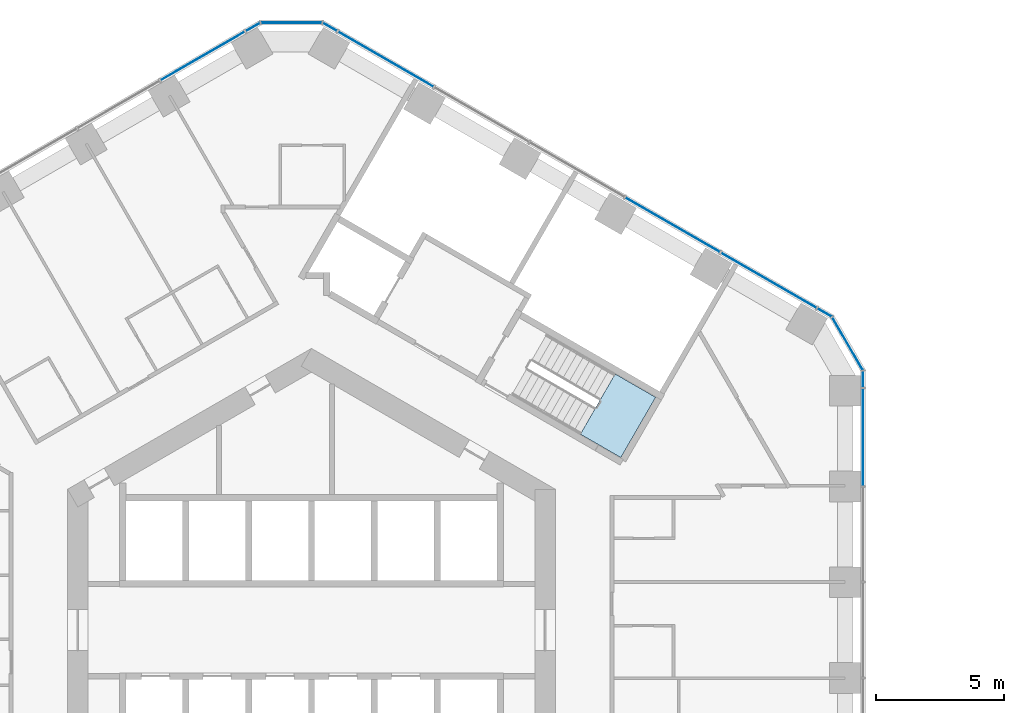
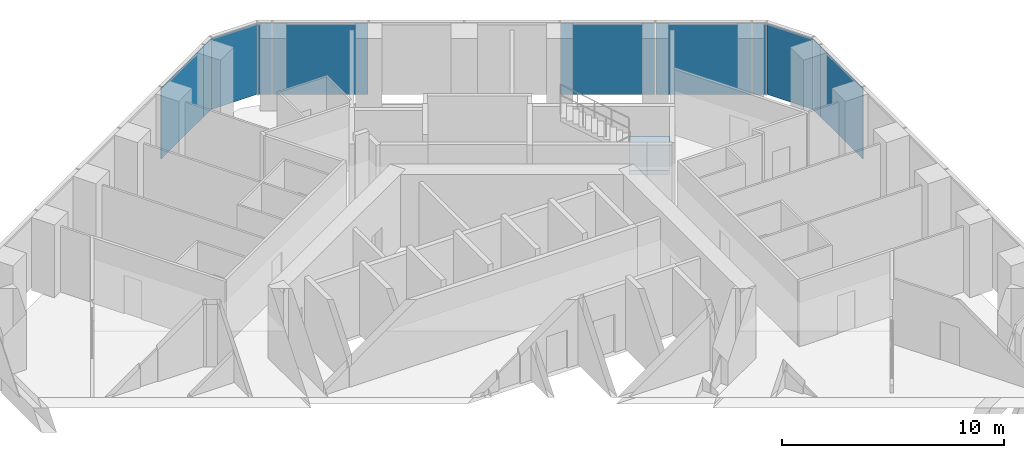
# One storey, part 17 of 27: 11 plates, 1 slab, 6 elements without a shape of their own.
"""IFC4 building model written with IfcOpenShell, lengths in metres."""

from ifc_helpers import new_model, si_unit, direction, frame, origin, origin_2d, place, context, subcontext, project, spatial, polyline, rectangle, outline, extrude, material, layer, layer_set, type_object, element, aggregate, save


model = new_model("IFC4")

# Units and contexts
model_context = context("Model", 3, precision=1e-05, world=origin(), true_north=direction((0.0, 1.0)))
body_context = subcontext(model_context, "Body", "Model", "MODEL_VIEW")
ifc_project = project(units=[si_unit("LENGTHUNIT", "METRE"), si_unit("AREAUNIT", "SQUARE_METRE"), si_unit("VOLUMEUNIT", "CUBIC_METRE"), si_unit("PLANEANGLEUNIT", "RADIAN"), si_unit("MASSUNIT", "GRAM", prefix="KILO")], contexts=[model_context])

# Site, building, storey
site_placement = place(None, origin())
site = spatial("IfcSite", under=ifc_project, at=site_placement, CompositionType="ELEMENT")
building_placement = place(site_placement, origin())
building = spatial("IfcBuilding", under=site, at=building_placement, Name="Ayvan Gate Tower", CompositionType="ELEMENT")
storey_placement = place(building_placement, frame((0.0, 0.0, 70.300048828125)))
storey = spatial("IfcBuildingStorey", under=building, at=storey_placement, Name="L18", CompositionType="ELEMENT", Elevation=70.300048828125)

# Stair, slab
ifc_material_1 = material(Name="Concrete C40/50", Category="concrete")
stair_type = type_object("IfcStairType", Name="ST-EXIT", PredefinedType="HALF_TURN_STAIR", material=ifc_material_1)
stair_placement = place(storey_placement, origin())
stair = element("IfcStair", 1, at=stair_placement, inside=storey, type_object=stair_type, Name="L18 Exit Stair S1", PredefinedType="HALF_TURN_STAIR")
ifc_layer_1 = layer(ifc_material_1, 0.199951171875)
ifc_layer_set_1 = layer_set([ifc_layer_1], Name="Concrete C40/50")
slab_type = type_object("IfcSlabType", Name="SL-LANDING-200", PredefinedType="LANDING", material=ifc_layer_set_1)
slab_placement = place(storey_placement, frame((0.0, 0.0, 1.800048828125)))
slab = element("IfcSlab", 2, at=slab_placement, type_object=slab_type, Name="STS1 landing 1", PredefinedType="LANDING", context=body_context, shape_type="SweptSolid", body=[
    extrude(outline(polyline([(10.473388671875, 7.630615234375), (12.049560546875, 6.720458984375), (13.404541015625, 9.0673828125), (11.828369140625, 9.9775390625), (10.473388671875, 7.630615234375)])), origin(), (0.0, 0.0, 1.0), 0.199951171875),
])
aggregate(stair, [slab])

# Curtain wall, plate
ifc_material_2 = material(Name="Bronze anodised aluminium", Category="aluminium")
ifc_layer_2 = layer(ifc_material_2, 0.199951171875)
ifc_layer_set_2 = layer_set([ifc_layer_2], Name="Bronze anodised aluminium")
curtain_wall_type_1 = type_object("IfcCurtainWallType", Name="Stick curtain wall CW-1", PredefinedType="NOTDEFINED", material=ifc_layer_set_2)
curtain_wall_1_placement = place(storey_placement, origin())
curtain_wall_1 = element("IfcCurtainWall", 3, at=curtain_wall_1_placement, inside=storey, type_object=curtain_wall_type_1, Name="Stick curtain wall CW-1 L18", PredefinedType="NOTDEFINED")
ifc_material_3 = material(Name="Clear low-iron laminated glass", Category="glass")
ifc_layer_3 = layer(ifc_material_3, 0.028076171875)
ifc_layer_set_3 = layer_set([ifc_layer_3], Name="Clear low-iron laminated glass")
plate_type_1 = type_object("IfcPlateType", Name="Stick curtain wall CW-1 glass panel", PredefinedType="CURTAIN_PANEL", material=ifc_layer_set_3)
plate_1_placement = place(storey_placement, frame((21.484619140625, 7.52587890625, 0.0), z_axis=(0.0, 0.0, 1.0), x_axis=(0.0, 1.0, 0.0)))
plate_1 = element("IfcPlate", 4, at=plate_1_placement, type_object=plate_type_1, Name="CW-1 glass panel 5", PredefinedType="CURTAIN_PANEL", context=body_context, shape_type="SweptSolid", body=[
    extrude(rectangle(XDim=3.80224609375, YDim=0.028076171875, at=origin_2d()), origin(), (0.0, 0.0, 1.0), 3.8798828125),
])
aggregate(curtain_wall_1, [plate_1])

# Curtain wall, plates
curtain_wall_2_placement = place(storey_placement, origin())
curtain_wall_2 = element("IfcCurtainWall", 5, at=curtain_wall_2_placement, inside=storey, type_object=curtain_wall_type_1, Name="Stick curtain wall CW-1 L18", PredefinedType="NOTDEFINED")
plate_2_placement = place(storey_placement, frame((17.822998046875, 13.615234375, 0.0), z_axis=(0.0, 0.0, 1.0), x_axis=(-0.866025403784, 0.5, 0.0)))
plate_2 = element("IfcPlate", 6, at=plate_2_placement, type_object=plate_type_1, Name="CW-1 glass panel 1", PredefinedType="CURTAIN_PANEL", context=body_context, shape_type="SweptSolid", body=[
    extrude(rectangle(XDim=4.30810546875, YDim=0.028076171875, at=origin_2d()), origin(), (0.0, 0.0, 1.0), 3.8798828125),
])
plate_3_placement = place(storey_placement, frame((14.0712890625, 15.78125, 0.0), z_axis=(0.0, 0.0, 1.0), x_axis=(-0.866025403784, 0.5, 0.0)))
plate_3 = element("IfcPlate", 7, at=plate_3_placement, type_object=plate_type_1, Name="CW-1 glass panel 2", PredefinedType="CURTAIN_PANEL", context=body_context, shape_type="SweptSolid", body=[
    extrude(rectangle(XDim=4.236083984375, YDim=0.028076171875, at=origin_2d()), origin(), (0.0, 0.0, 1.0), 3.8798828125),
])
plate_4_placement = place(storey_placement, frame((2.879638671875, 22.24267578125, 0.0), z_axis=(0.0, 0.0, 1.0), x_axis=(-0.866025403784, 0.5, 0.0)))
plate_4 = element("IfcPlate", 8, at=plate_4_placement, type_object=plate_type_1, Name="CW-1 glass panel 5", PredefinedType="CURTAIN_PANEL", context=body_context, shape_type="SweptSolid", body=[
    extrude(rectangle(XDim=4.30810546875, YDim=0.028076171875, at=origin_2d()), origin(), (0.0, 0.0, 1.0), 3.8798828125),
])
aggregate(curtain_wall_2, [plate_2, plate_3, plate_4])

# Curtain wall, plate
curtain_wall_3_placement = place(storey_placement, origin())
curtain_wall_3 = element("IfcCurtainWall", 9, at=curtain_wall_3_placement, inside=storey, type_object=curtain_wall_type_1, Name="Stick curtain wall CW-1 L18", PredefinedType="NOTDEFINED")
plate_5_placement = place(storey_placement, frame((-4.224365234375, 22.369384765625, 0.0), z_axis=(0.0, 0.0, 1.0), x_axis=(-0.866025403784, -0.5, 0.0)))
plate_5 = element("IfcPlate", 10, at=plate_5_placement, type_object=plate_type_1, Name="CW-1 glass panel 1", PredefinedType="CURTAIN_PANEL", context=body_context, shape_type="SweptSolid", body=[
    extrude(rectangle(XDim=3.802001953125, YDim=0.028076171875, at=origin_2d()), origin(), (0.0, 0.0, 1.0), 3.8798828125),
])
aggregate(curtain_wall_3, [plate_5])

# Curtain wall, plates
ifc_layer_4 = layer(ifc_material_2, 0.199951171875)
ifc_layer_set_4 = layer_set([ifc_layer_4], Name="Bronze anodised aluminium")
curtain_wall_type_2 = type_object("IfcCurtainWallType", Name="Stick curtain wall CW-6", PredefinedType="NOTDEFINED", material=ifc_layer_set_4)
curtain_wall_4_placement = place(storey_placement, origin())
curtain_wall_4 = element("IfcCurtainWall", 11, at=curtain_wall_4_placement, inside=storey, type_object=curtain_wall_type_2, Name="Stick curtain wall CW-6 L18", PredefinedType="NOTDEFINED")
ifc_layer_5 = layer(ifc_material_3, 0.028076171875)
ifc_layer_set_5 = layer_set([ifc_layer_5], Name="Clear low-iron laminated glass")
plate_type_2 = type_object("IfcPlateType", Name="Stick curtain wall CW-6 glass panel", PredefinedType="CURTAIN_PANEL", material=ifc_layer_set_5)
plate_6_placement = place(storey_placement, frame((21.484619140625, 9.76953125, 0.0), z_axis=(0.0, 0.0, 1.0), x_axis=(0.0, 1.0, 0.0)))
plate_6 = element("IfcPlate", 12, at=plate_6_placement, type_object=plate_type_2, Name="CW-6 glass panel 1", PredefinedType="CURTAIN_PANEL", context=body_context, shape_type="SweptSolid", body=[
    extrude(rectangle(XDim=0.625, YDim=0.028076171875, at=origin_2d()), origin(), (0.0, 0.0, 1.0), 3.8798828125),
])
plate_7_placement = place(storey_placement, frame((20.880859375, 11.152587890625, 0.0), z_axis=(0.0, 0.0, 1.0), x_axis=(-0.5, 0.866025403784, 0.0)))
plate_7 = element("IfcPlate", 13, at=plate_7_placement, type_object=plate_type_2, Name="CW-6 glass panel 2", PredefinedType="CURTAIN_PANEL", context=body_context, shape_type="SweptSolid", body=[
    extrude(rectangle(XDim=2.364501953125, YDim=0.028076171875, at=origin_2d()), origin(), (0.0, 0.0, 1.0), 3.8798828125),
])
plate_8_placement = place(storey_placement, frame((19.985107421875, 12.366943359375, 0.0), z_axis=(0.0, 0.0, 1.0), x_axis=(-0.866025403784, 0.5, 0.0)))
plate_8 = element("IfcPlate", 14, at=plate_8_placement, type_object=plate_type_2, Name="CW-6 glass panel 3", PredefinedType="CURTAIN_PANEL", context=body_context, shape_type="SweptSolid", body=[
    extrude(rectangle(XDim=0.625, YDim=0.028076171875, at=origin_2d()), origin(), (0.0, 0.0, 1.0), 3.8798828125),
])
aggregate(curtain_wall_4, [plate_6, plate_7, plate_8])

curtain_wall_5_placement = place(storey_placement, origin())
curtain_wall_5 = element("IfcCurtainWall", 15, at=curtain_wall_5_placement, inside=storey, type_object=curtain_wall_type_2, Name="Stick curtain wall CW-6 L18", PredefinedType="NOTDEFINED")
plate_9_placement = place(storey_placement, frame((0.717529296875, 23.490966796875, 0.0), z_axis=(0.0, 0.0, 1.0), x_axis=(-0.866025403784, 0.5, 0.0)))
plate_9 = element("IfcPlate", 16, at=plate_9_placement, type_object=plate_type_2, Name="CW-6 glass panel 1", PredefinedType="CURTAIN_PANEL", context=body_context, shape_type="SweptSolid", body=[
    extrude(rectangle(XDim=0.625, YDim=0.028076171875, at=origin_2d()), origin(), (0.0, 0.0, 1.0), 3.8798828125),
])
plate_10_placement = place(storey_placement, frame((-0.781982421875, 23.659912109375, 0.0), z_axis=(0.0, 0.0, 1.0), x_axis=(-1.0, 0.0, 0.0)))
plate_10 = element("IfcPlate", 17, at=plate_10_placement, type_object=plate_type_2, Name="CW-6 glass panel 2", PredefinedType="CURTAIN_PANEL", context=body_context, shape_type="SweptSolid", body=[
    extrude(rectangle(XDim=2.364501953125, YDim=0.028076171875, at=origin_2d()), origin(), (0.0, 0.0, 1.0), 3.8798828125),
])
plate_11_placement = place(storey_placement, frame((-2.281494140625, 23.490966796875, 0.0), z_axis=(0.0, 0.0, 1.0), x_axis=(-0.866025403784, -0.5, 0.0)))
plate_11 = element("IfcPlate", 18, at=plate_11_placement, type_object=plate_type_2, Name="CW-6 glass panel 3", PredefinedType="CURTAIN_PANEL", context=body_context, shape_type="SweptSolid", body=[
    extrude(rectangle(XDim=0.625, YDim=0.028076171875, at=origin_2d()), origin(), (0.0, 0.0, 1.0), 3.8798828125),
])
aggregate(curtain_wall_5, [plate_9, plate_10, plate_11])

save(model, "model.ifc")
